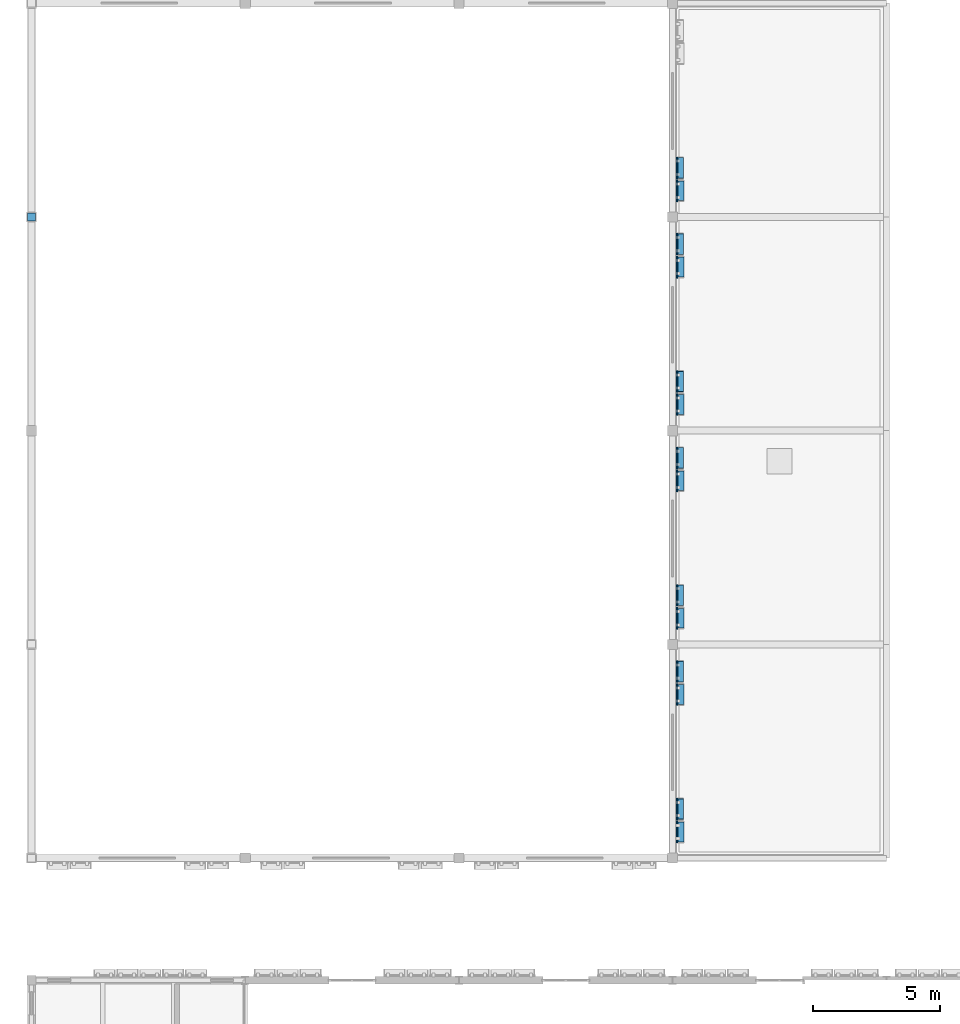
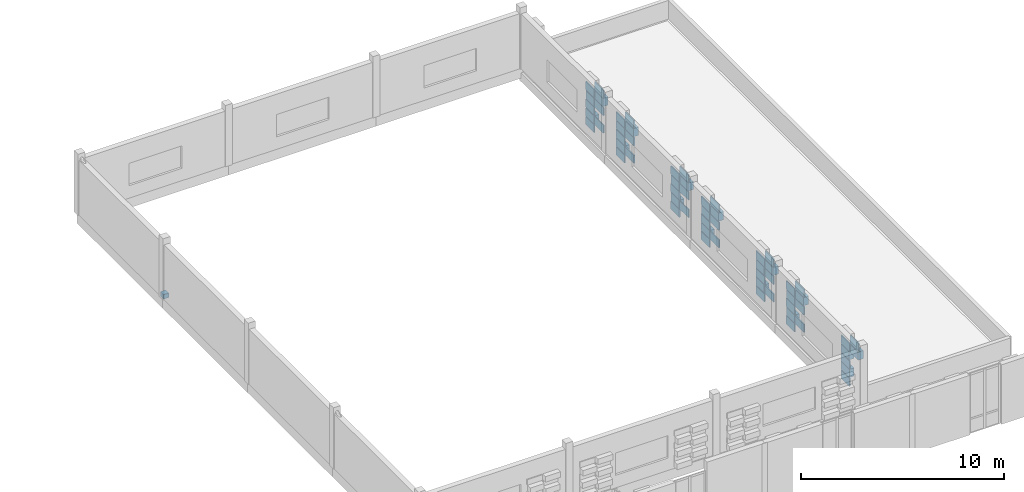
# One storey, part 31 of 57: 62 plates.
"""IFC4 building model written with IfcOpenShell, lengths in metres."""

import ifcopenshell
import ifcopenshell.guid

model = None  # the IFC model being written
_history = None  # IfcOwnerHistory: only IFC2X3 demands one
_inside = {}  # id of a spatial element -> (the spatial element, [elements in it])
_under = {}  # id of a project, library or spatial element -> (it, [spatial elements below it])
_declared = {}  # id of a project -> (the project, [libraries it declares])
_typed = {}  # id of a type object -> (the type object, [elements of that type])
_made_of = {}  # id of a material, layer set ... -> (it, [elements and type objects made of it])


def new_model(schema):
    """Start an empty IFC model of exactly this schema.

    Asked for "IFC4X3", IfcOpenShell would pick the latest addendum, in which some entities
    have other attributes; the version numbers below select the first issue.
    IFC2X3 requires an IfcOwnerHistory on every rooted entity: one is made here for all.
    """
    global model, _history
    if schema == "IFC4X3":
        model = ifcopenshell.file(schema_version=(4, 3, 0, 0))
    else:
        model = ifcopenshell.file(schema=schema)
    _inside.clear()
    _under.clear()
    _declared.clear()
    _typed.clear()
    _made_of.clear()
    _history = None
    if model.schema == "IFC2X3":
        org = make("IfcOrganization", Name="unknown")
        user = make(
            "IfcPersonAndOrganization",
            ThePerson=make("IfcPerson", FamilyName="unknown"),
            TheOrganization=org,
        )
        app = make(
            "IfcApplication",
            ApplicationDeveloper=org,
            Version="unknown",
            ApplicationFullName="unknown",
            ApplicationIdentifier="unknown",
        )
        _history = make(
            "IfcOwnerHistory",
            OwningUser=user,
            OwningApplication=app,
            ChangeAction="ADDED",
            CreationDate=0,
        )
    return model


def make(cls, **values):
    """One entity of the class cls with the attributes given. An attribute that is None is left unset."""
    return model.create_entity(
        cls, **{name: value for name, value in values.items() if value is not None}
    )


def rooted(cls, **values):
    """An entity with a GlobalId (a new one), such as an element, a storey or a relation."""
    return make(cls, GlobalId=ifcopenshell.guid.new(), OwnerHistory=_history, **values)


def si_unit(unit_type, name, prefix=None):
    """IfcSIUnit, for example si_unit("LENGTHUNIT", "METRE", prefix="MILLI")."""
    return make("IfcSIUnit", UnitType=unit_type, Prefix=prefix, Name=name)


def assignment(units):
    """IfcUnitAssignment: the units of a project."""
    return None if units is None else make("IfcUnitAssignment", Units=units)


def point(xyz):
    """IfcCartesianPoint."""
    return None if xyz is None else make("IfcCartesianPoint", Coordinates=xyz)


def direction(xyz):
    """IfcDirection."""
    return None if xyz is None else make("IfcDirection", DirectionRatios=xyz)


def frame(location, z_axis=None, x_axis=None):
    """IfcAxis2Placement3D, a coordinate frame: its origin and axes. An axis left out is left unset."""
    return make(
        "IfcAxis2Placement3D",
        Location=point(location),
        Axis=direction(z_axis),
        RefDirection=direction(x_axis),
    )


def frame_2d(location, x_axis=None):
    """IfcAxis2Placement2D, a coordinate frame in the plane: its origin and x axis."""
    return make(
        "IfcAxis2Placement2D", Location=point(location), RefDirection=direction(x_axis)
    )


def origin():
    """The frame at (0, 0, 0) with its axes left unset."""
    return frame((0.0, 0.0, 0.0))


def origin_2d():
    """The frame at (0, 0) in the plane with its x axis left unset."""
    return frame_2d((0.0, 0.0))


def place(relative_to, where):
    """IfcLocalPlacement: puts the frame where relative to a parent placement (None: the world)."""
    return make(
        "IfcLocalPlacement", PlacementRelTo=relative_to, RelativePlacement=where
    )


def context(
    kind, dimensions, precision=None, world=None, true_north=None, identifier=None
):
    """IfcGeometricRepresentationContext, for example the 3D "Model" context."""
    return make(
        "IfcGeometricRepresentationContext",
        ContextIdentifier=identifier,
        ContextType=kind,
        CoordinateSpaceDimension=dimensions,
        Precision=precision,
        WorldCoordinateSystem=world,
        TrueNorth=true_north,
    )


def subcontext(parent, identifier, kind, view, scale=None):
    """IfcGeometricRepresentationSubContext, for example "Body" below "Model"."""
    return make(
        "IfcGeometricRepresentationSubContext",
        ContextIdentifier=identifier,
        ContextType=kind,
        ParentContext=parent,
        TargetScale=scale,
        TargetView=view,
    )


def project(units=None, contexts=None):
    """IfcProject with its units and contexts."""
    return rooted(
        "IfcProject",
        Name="project",
        RepresentationContexts=contexts,
        UnitsInContext=assignment(units),
    )


def spatial(cls, under=None, at=None, **own):
    """A site, building, storey or space (cls), placed at a placement, below another one or the project."""
    s = rooted(cls, ObjectPlacement=at, **own)
    if under is not None:
        _under.setdefault(under.id(), (under, []))[1].append(s)
    return s


def profile(cls, at=None, kind="AREA", **sizes):
    """A parametric profile (cls). Its sizes go by their IFC names, for example OverallWidth=200.0."""
    return make(cls, ProfileType=kind, Position=at, **sizes)


def rectangle(**sizes):
    """IfcRectangleProfileDef."""
    return profile("IfcRectangleProfileDef", **sizes)


def extrude(swept, where, along, depth):
    """IfcExtrudedAreaSolid: the profile swept, set in the frame where, extruded along a direction by depth."""
    return make(
        "IfcExtrudedAreaSolid",
        SweptArea=swept,
        Position=where,
        ExtrudedDirection=direction(along),
        Depth=depth,
    )


def shape(context_of_items, identifier, shape_type, items):
    """IfcShapeRepresentation: the items that make up one representation, for example the "Body"."""
    return make(
        "IfcShapeRepresentation",
        ContextOfItems=context_of_items,
        RepresentationIdentifier=identifier,
        RepresentationType=shape_type,
        Items=items,
    )


def material(Name=None, Category=None):
    """IfcMaterial."""
    return make("IfcMaterial", Name=Name, Category=Category)


def layer(
    of_material, thickness, ventilated=None, Name=None, Category=None, Priority=None
):
    """IfcMaterialLayer: one layer of a wall or slab, of a material (None: an air gap)."""
    return make(
        "IfcMaterialLayer",
        Material=of_material,
        LayerThickness=thickness,
        IsVentilated=ventilated,
        Name=Name,
        Category=Category,
        Priority=Priority,
    )


def layer_set(layers, Name=None):
    """IfcMaterialLayerSet."""
    return make("IfcMaterialLayerSet", MaterialLayers=layers, LayerSetName=Name)


def made_of(thing, what):
    """Note that an element or type object is made of a material, layer set ...; save() writes the relation."""
    if what is not None:
        _made_of.setdefault(what.id(), (what, []))[1].append(thing)
    return thing


def type_object(cls, material=None, **own):
    """A type object (cls), such as IfcWallType, which elements share."""
    return made_of(rooted(cls, **own), material)


def element(
    cls,
    number,
    at=None,
    inside=None,
    cuts=None,
    type_object=None,
    material=None,
    context=None,
    identifier="Body",
    shape_type=None,
    held_by="IfcProductDefinitionShape",
    body=None,
    shapes=None,
    **own,
):
    """One element of the class cls, such as IfcWall. Its Tag is "e" and its number.

    at: its placement. inside: the storey or other place that contains it. cuts: it is an
    opening in that element (IfcRelVoidsElement). A single representation is given by context,
    identifier, shape_type and body (its items); several are given by shapes. held_by: the class
    of the entity that holds the representations. save() writes the other relations.
    """
    e = rooted(cls, Tag="e%d" % number, ObjectPlacement=at, **own)
    if body is not None:
        shapes = [shape(context, identifier, shape_type, body)]
    if shapes is not None:
        e.Representation = make(held_by, Representations=shapes)
    if inside is not None:
        _inside.setdefault(inside.id(), (inside, []))[1].append(e)
    if cuts is not None:
        rooted(
            "IfcRelVoidsElement", RelatingBuildingElement=cuts, RelatedOpeningElement=e
        )
    if type_object is not None:
        _typed.setdefault(type_object.id(), (type_object, []))[1].append(e)
    return made_of(e, material)


def aggregate(whole, parts):
    """IfcRelAggregates: a whole, such as a stair, and the parts it consists of."""
    return rooted("IfcRelAggregates", RelatingObject=whole, RelatedObjects=parts)


def save(model, path):
    """Write the relations noted so far, then the file.

    IfcRelAggregates (storeys below a building ...), IfcRelContainedInSpatialStructure (elements
    in a storey), IfcRelDefinesByType, IfcRelAssociatesMaterial and IfcRelDeclares: one each for
    every whole, place, type object, material and project.
    """
    for whole, parts in _under.values():
        aggregate(whole, parts)
    for where, things in _inside.values():
        rooted(
            "IfcRelContainedInSpatialStructure",
            RelatedElements=things,
            RelatingStructure=where,
        )
    for kind, things in _typed.values():
        rooted("IfcRelDefinesByType", RelatedObjects=things, RelatingType=kind)
    for what, things in _made_of.values():
        rooted("IfcRelAssociatesMaterial", RelatedObjects=things, RelatingMaterial=what)
    for by, libraries in _declared.values():
        rooted("IfcRelDeclares", RelatingContext=by, RelatedDefinitions=libraries)
    model.write(path)


model = new_model("IFC4")

# Units and contexts
model_context = context("Model", 3, precision=1e-05, world=origin(), true_north=direction((0.0, 1.0)))
body_context = subcontext(model_context, "Body", "Model", "MODEL_VIEW")
ifc_project = project(units=[si_unit("LENGTHUNIT", "METRE"), si_unit("AREAUNIT", "SQUARE_METRE"), si_unit("VOLUMEUNIT", "CUBIC_METRE"), si_unit("PLANEANGLEUNIT", "RADIAN"), si_unit("MASSUNIT", "GRAM", prefix="KILO")], contexts=[model_context])

# Site, building, storey
site_placement = place(None, origin())
site = spatial("IfcSite", under=ifc_project, at=site_placement, CompositionType="ELEMENT")
building_placement = place(site_placement, origin())
building = spatial("IfcBuilding", under=site, at=building_placement, Name="Kahlenmark Community Centre", CompositionType="ELEMENT")
storey_placement = place(building_placement, frame((0.0, 0.0, 13.800048828125)))
storey = spatial("IfcBuildingStorey", under=building, at=storey_placement, Name="L03", CompositionType="ELEMENT", Elevation=13.800048828125)

# Plates
ifc_material_1 = material(Name="Extruded warm terracotta recessed weave tile", Category="masonry")
ifc_layer_1 = layer(ifc_material_1, 0.06005859375)
ifc_layer_set_1 = layer_set([ifc_layer_1], Name="Extruded warm terracotta recessed weave tile")
plate_type_1 = type_object("IfcPlateType", Name="PLT-TC-TC-R10-840X60X487", PredefinedType="SHEET", material=ifc_layer_set_1)
for number, where, z_axis, x_axis, name in (
    (1, (29.3798828125, 44.330078125, 0.10009765625), (0.0, 0.0, 1.0), (0.0, 1.0, 0.0), "Basketweave terracotta cassette 4106"),
    (2, (29.3798828125, 44.330078125, 1.15380859375), (0.0, 0.0, 1.0), (0.0, 1.0, 0.0), "Basketweave terracotta cassette 4108"),
    (3, (29.3798828125, 44.330078125, 2.2080078125), (0.0, 0.0, 1.0), (0.0, 1.0, 0.0), "Basketweave terracotta cassette 4110"),
    (4, (29.3798828125, 49.72998046875, 0.10009765625), (0.0, 0.0, 1.0), (0.0, 1.0, 0.0), "Basketweave terracotta cassette 4118"),
    (5, (29.3798828125, 49.72998046875, 1.15380859375), (0.0, 0.0, 1.0), (0.0, 1.0, 0.0), "Basketweave terracotta cassette 4120"),
    (6, (29.3798828125, 49.72998046875, 2.2080078125), (0.0, 0.0, 1.0), (0.0, 1.0, 0.0), "Basketweave terracotta cassette 4122"),
    (7, (29.3798828125, 52.72998046875, 0.10009765625), (0.0, 0.0, 1.0), (0.0, 1.0, 0.0), "Basketweave terracotta cassette 4130"),
    (8, (29.3798828125, 52.72998046875, 1.15380859375), (0.0, 0.0, 1.0), (0.0, 1.0, 0.0), "Basketweave terracotta cassette 4132"),
    (9, (29.3798828125, 52.72998046875, 2.2080078125), (0.0, 0.0, 1.0), (0.0, 1.0, 0.0), "Basketweave terracotta cassette 4134"),
    (10, (29.3798828125, 58.1298828125, 0.10009765625), (0.0, 0.0, 1.0), (0.0, 1.0, 0.0), "Basketweave terracotta cassette 4142"),
    (11, (29.3798828125, 58.1298828125, 1.15380859375), (0.0, 0.0, 1.0), (0.0, 1.0, 0.0), "Basketweave terracotta cassette 4144"),
    (12, (29.3798828125, 58.1298828125, 2.2080078125), (0.0, 0.0, 1.0), (0.0, 1.0, 0.0), "Basketweave terracotta cassette 4146"),
    (13, (29.3798828125, 61.1298828125, 0.10009765625), (0.0, 0.0, 1.0), (0.0, 1.0, 0.0), "Basketweave terracotta cassette 4154"),
    (14, (29.3798828125, 61.1298828125, 1.15380859375), (0.0, 0.0, 1.0), (0.0, 1.0, 0.0), "Basketweave terracotta cassette 4156"),
    (15, (29.3798828125, 61.1298828125, 2.2080078125), (0.0, 0.0, 1.0), (0.0, 1.0, 0.0), "Basketweave terracotta cassette 4158"),
    (16, (29.3798828125, 66.530029296875, 0.10009765625), (0.0, 0.0, 1.0), (0.0, 1.0, 0.0), "Basketweave terracotta cassette 4166"),
    (17, (29.3798828125, 66.530029296875, 1.15380859375), (0.0, 0.0, 1.0), (0.0, 1.0, 0.0), "Basketweave terracotta cassette 4168"),
    (18, (29.3798828125, 66.530029296875, 2.2080078125), (0.0, 0.0, 1.0), (0.0, 1.0, 0.0), "Basketweave terracotta cassette 4170"),
    (19, (29.3798828125, 69.530029296875, 0.10009765625), (0.0, 0.0, 1.0), (0.0, 1.0, 0.0), "Basketweave terracotta cassette 4178"),
    (20, (29.3798828125, 69.530029296875, 1.15380859375), (0.0, 0.0, 1.0), (0.0, 1.0, 0.0), "Basketweave terracotta cassette 4180"),
    (21, (29.3798828125, 69.530029296875, 2.2080078125), (0.0, 0.0, 1.0), (0.0, 1.0, 0.0), "Basketweave terracotta cassette 4182"),
):
    element("IfcPlate", number, at=place(storey_placement, frame(where, z_axis=z_axis, x_axis=x_axis)), inside=storey, type_object=plate_type_1, Name=name, PredefinedType="SHEET", context=body_context, shape_type="SweptSolid", body=[
        extrude(rectangle(XDim=0.840087890625, YDim=0.06005859375, at=origin_2d()), origin(), (0.0, 0.0, 1.0), 0.487060546875),
    ])
ifc_layer_2 = layer(ifc_material_1, 0.06005859375)
ifc_layer_set_2 = layer_set([ifc_layer_2], Name="Extruded warm terracotta recessed weave tile")
plate_type_2 = type_object("IfcPlateType", Name="PLT-TC-TC-R10-860X60X487", PredefinedType="SHEET", material=ifc_layer_set_2)
for number, where, z_axis, x_axis, name in (
    (22, (29.3798828125, 43.429931640625, 2.73486328125), (0.0, 0.0, 1.0), (0.0, 1.0, 0.0), "Basketweave terracotta cassette 4105"),
    (23, (29.3798828125, 48.830078125, 0.626953125), (0.0, 0.0, 1.0), (0.0, 1.0, 0.0), "Basketweave terracotta cassette 4113"),
    (24, (29.3798828125, 48.830078125, 1.68115234375), (0.0, 0.0, 1.0), (0.0, 1.0, 0.0), "Basketweave terracotta cassette 4115"),
    (25, (29.3798828125, 48.830078125, 2.73486328125), (0.0, 0.0, 1.0), (0.0, 1.0, 0.0), "Basketweave terracotta cassette 4117"),
    (26, (29.3798828125, 51.830078125, 0.626953125), (0.0, 0.0, 1.0), (0.0, 1.0, 0.0), "Basketweave terracotta cassette 4125"),
    (27, (29.3798828125, 51.830078125, 1.68115234375), (0.0, 0.0, 1.0), (0.0, 1.0, 0.0), "Basketweave terracotta cassette 4127"),
    (28, (29.3798828125, 51.830078125, 2.73486328125), (0.0, 0.0, 1.0), (0.0, 1.0, 0.0), "Basketweave terracotta cassette 4129"),
    (29, (29.3798828125, 57.22998046875, 0.626953125), (0.0, 0.0, 1.0), (0.0, 1.0, 0.0), "Basketweave terracotta cassette 4137"),
    (30, (29.3798828125, 57.22998046875, 1.68115234375), (0.0, 0.0, 1.0), (0.0, 1.0, 0.0), "Basketweave terracotta cassette 4139"),
    (31, (29.3798828125, 57.22998046875, 2.73486328125), (0.0, 0.0, 1.0), (0.0, 1.0, 0.0), "Basketweave terracotta cassette 4141"),
    (32, (29.3798828125, 60.22998046875, 0.626953125), (0.0, 0.0, 1.0), (0.0, 1.0, 0.0), "Basketweave terracotta cassette 4149"),
    (33, (29.3798828125, 60.22998046875, 1.68115234375), (0.0, 0.0, 1.0), (0.0, 1.0, 0.0), "Basketweave terracotta cassette 4151"),
    (34, (29.3798828125, 60.22998046875, 2.73486328125), (0.0, 0.0, 1.0), (0.0, 1.0, 0.0), "Basketweave terracotta cassette 4153"),
    (35, (29.3798828125, 65.6298828125, 0.626953125), (0.0, 0.0, 1.0), (0.0, 1.0, 0.0), "Basketweave terracotta cassette 4161"),
    (36, (29.3798828125, 65.6298828125, 1.68115234375), (0.0, 0.0, 1.0), (0.0, 1.0, 0.0), "Basketweave terracotta cassette 4163"),
    (37, (29.3798828125, 65.6298828125, 2.73486328125), (0.0, 0.0, 1.0), (0.0, 1.0, 0.0), "Basketweave terracotta cassette 4165"),
    (38, (29.3798828125, 68.6298828125, 0.626953125), (0.0, 0.0, 1.0), (0.0, 1.0, 0.0), "Basketweave terracotta cassette 4173"),
    (39, (29.3798828125, 68.6298828125, 1.68115234375), (0.0, 0.0, 1.0), (0.0, 1.0, 0.0), "Basketweave terracotta cassette 4175"),
    (40, (29.3798828125, 68.6298828125, 2.73486328125), (0.0, 0.0, 1.0), (0.0, 1.0, 0.0), "Basketweave terracotta cassette 4177"),
):
    element("IfcPlate", number, at=place(storey_placement, frame(where, z_axis=z_axis, x_axis=x_axis)), inside=storey, type_object=plate_type_2, Name=name, PredefinedType="SHEET", context=body_context, shape_type="SweptSolid", body=[
        extrude(rectangle(XDim=0.860107421875, YDim=0.06005859375, at=origin_2d()), origin(), (0.0, 0.0, 1.0), 0.487060546875),
    ])
ifc_material_2 = material(Name="Extruded glazed terracotta weave cassette", Category="masonry")
ifc_layer_3 = layer(ifc_material_2, 0.300048828125)
ifc_layer_set_3 = layer_set([ifc_layer_3], Name="Extruded glazed terracotta weave cassette")
plate_type_3 = type_object("IfcPlateType", Name="PLT-TC-TC-R34-780X300X487", PredefinedType="SHEET", material=ifc_layer_set_3)
for number, where, z_axis, x_axis, name in (
    (41, (29.5, 43.429931640625, 2.2080078125), (0.0, 0.0, 1.0), (0.0, 1.0, 0.0), "Basketweave terracotta cassette 4104"),
    (42, (29.5, 48.830078125, 2.2080078125), (0.0, 0.0, 1.0), (0.0, 1.0, 0.0), "Basketweave terracotta cassette 4116"),
    (43, (29.5, 51.830078125, 2.2080078125), (0.0, 0.0, 1.0), (0.0, 1.0, 0.0), "Basketweave terracotta cassette 4128"),
    (44, (29.5, 57.22998046875, 2.2080078125), (0.0, 0.0, 1.0), (0.0, 1.0, 0.0), "Basketweave terracotta cassette 4140"),
    (45, (29.5, 60.22998046875, 2.2080078125), (0.0, 0.0, 1.0), (0.0, 1.0, 0.0), "Basketweave terracotta cassette 4152"),
    (46, (29.5, 65.6298828125, 2.2080078125), (0.0, 0.0, 1.0), (0.0, 1.0, 0.0), "Basketweave terracotta cassette 4164"),
    (47, (29.5, 68.6298828125, 2.2080078125), (0.0, 0.0, 1.0), (0.0, 1.0, 0.0), "Basketweave terracotta cassette 4176"),
):
    element("IfcPlate", number, at=place(storey_placement, frame(where, z_axis=z_axis, x_axis=x_axis)), inside=storey, type_object=plate_type_3, Name=name, PredefinedType="SHEET", context=body_context, shape_type="SweptSolid", body=[
        extrude(rectangle(XDim=0.780029296875, YDim=0.300048828125, at=origin_2d()), origin(), (0.0, 0.0, 1.0), 0.487060546875),
    ])
ifc_layer_4 = layer(ifc_material_2, 0.280029296875)
ifc_layer_set_4 = layer_set([ifc_layer_4], Name="Extruded glazed terracotta weave cassette")
plate_type_4 = type_object("IfcPlateType", Name="PLT-TC-TC-W30-800X280X487", PredefinedType="SHEET", material=ifc_layer_set_4)
for number, where, z_axis, x_axis, name in (
    (48, (29.489990234375, 44.330078125, 1.68115234375), (0.0, 0.0, 1.0), (0.0, 1.0, 0.0), "Basketweave terracotta cassette 4109"),
    (49, (29.489990234375, 49.72998046875, 1.68115234375), (0.0, 0.0, 1.0), (0.0, 1.0, 0.0), "Basketweave terracotta cassette 4121"),
    (50, (29.489990234375, 52.72998046875, 1.68115234375), (0.0, 0.0, 1.0), (0.0, 1.0, 0.0), "Basketweave terracotta cassette 4133"),
    (51, (29.489990234375, 58.1298828125, 1.68115234375), (0.0, 0.0, 1.0), (0.0, 1.0, 0.0), "Basketweave terracotta cassette 4145"),
    (52, (29.489990234375, 61.1298828125, 1.68115234375), (0.0, 0.0, 1.0), (0.0, 1.0, 0.0), "Basketweave terracotta cassette 4157"),
    (53, (29.489990234375, 66.530029296875, 1.68115234375), (0.0, 0.0, 1.0), (0.0, 1.0, 0.0), "Basketweave terracotta cassette 4169"),
    (54, (29.489990234375, 69.530029296875, 1.68115234375), (0.0, 0.0, 1.0), (0.0, 1.0, 0.0), "Basketweave terracotta cassette 4181"),
):
    element("IfcPlate", number, at=place(storey_placement, frame(where, z_axis=z_axis, x_axis=x_axis)), inside=storey, type_object=plate_type_4, Name=name, PredefinedType="SHEET", context=body_context, shape_type="SweptSolid", body=[
        extrude(rectangle(XDim=0.800048828125, YDim=0.280029296875, at=origin_2d()), origin(), (0.0, 0.0, 1.0), 0.487060546875),
    ])
ifc_layer_5 = layer(ifc_material_2, 0.280029296875)
ifc_layer_set_5 = layer_set([ifc_layer_5], Name="Extruded glazed terracotta weave cassette")
plate_type_5 = type_object("IfcPlateType", Name="PLT-TC-TC-W30-820X280X487", PredefinedType="SHEET", material=ifc_layer_set_5)
for number, where, z_axis, x_axis, name in (
    (55, (29.489990234375, 44.330078125, 0.626953125), (0.0, 0.0, 1.0), (0.0, 1.0, 0.0), "Basketweave terracotta cassette 4107"),
    (56, (29.489990234375, 49.72998046875, 0.626953125), (0.0, 0.0, 1.0), (0.0, 1.0, 0.0), "Basketweave terracotta cassette 4119"),
    (57, (29.489990234375, 52.72998046875, 0.626953125), (0.0, 0.0, 1.0), (0.0, 1.0, 0.0), "Basketweave terracotta cassette 4131"),
    (58, (29.489990234375, 58.1298828125, 0.626953125), (0.0, 0.0, 1.0), (0.0, 1.0, 0.0), "Basketweave terracotta cassette 4143"),
    (59, (29.489990234375, 61.1298828125, 0.626953125), (0.0, 0.0, 1.0), (0.0, 1.0, 0.0), "Basketweave terracotta cassette 4155"),
    (60, (29.489990234375, 66.530029296875, 0.626953125), (0.0, 0.0, 1.0), (0.0, 1.0, 0.0), "Basketweave terracotta cassette 4167"),
    (61, (29.489990234375, 69.530029296875, 0.626953125), (0.0, 0.0, 1.0), (0.0, 1.0, 0.0), "Basketweave terracotta cassette 4179"),
):
    element("IfcPlate", number, at=place(storey_placement, frame(where, z_axis=z_axis, x_axis=x_axis)), inside=storey, type_object=plate_type_5, Name=name, PredefinedType="SHEET", context=body_context, shape_type="SweptSolid", body=[
        extrude(rectangle(XDim=0.820068359375, YDim=0.280029296875, at=origin_2d()), origin(), (0.0, 0.0, 1.0), 0.487060546875),
    ])
ifc_material_3 = material(Name="Steel S355", Category="steel")
ifc_layer_6 = layer(ifc_material_3, 0.02392578125)
ifc_layer_set_6 = layer_set([ifc_layer_6], Name="Steel S355")
plate_type_6 = type_object("IfcPlateType", Name="PT-NODE-BN-01-30X30X28", PredefinedType="USERDEFINED", material=ifc_layer_set_6)
plate_placement = place(storey_placement, frame((4.0, 67.60009765625, 0.009765625), z_axis=(0.0, 0.0, 1.0), x_axis=(1.0, 0.0, 0.0)))
element("IfcPlate", 62, at=plate_placement, inside=storey, type_object=plate_type_6, Name="Steel hollow-node cap plate 0347", ObjectType="STIFFENER_PLATE", PredefinedType="USERDEFINED", context=body_context, shape_type="SweptSolid", body=[
    extrude(rectangle(XDim=0.300048828125, YDim=0.300048828125, at=origin_2d()), origin(), (0.0, 0.0, 1.0), 0.280029296875),
])

save(model, "model.ifc")
